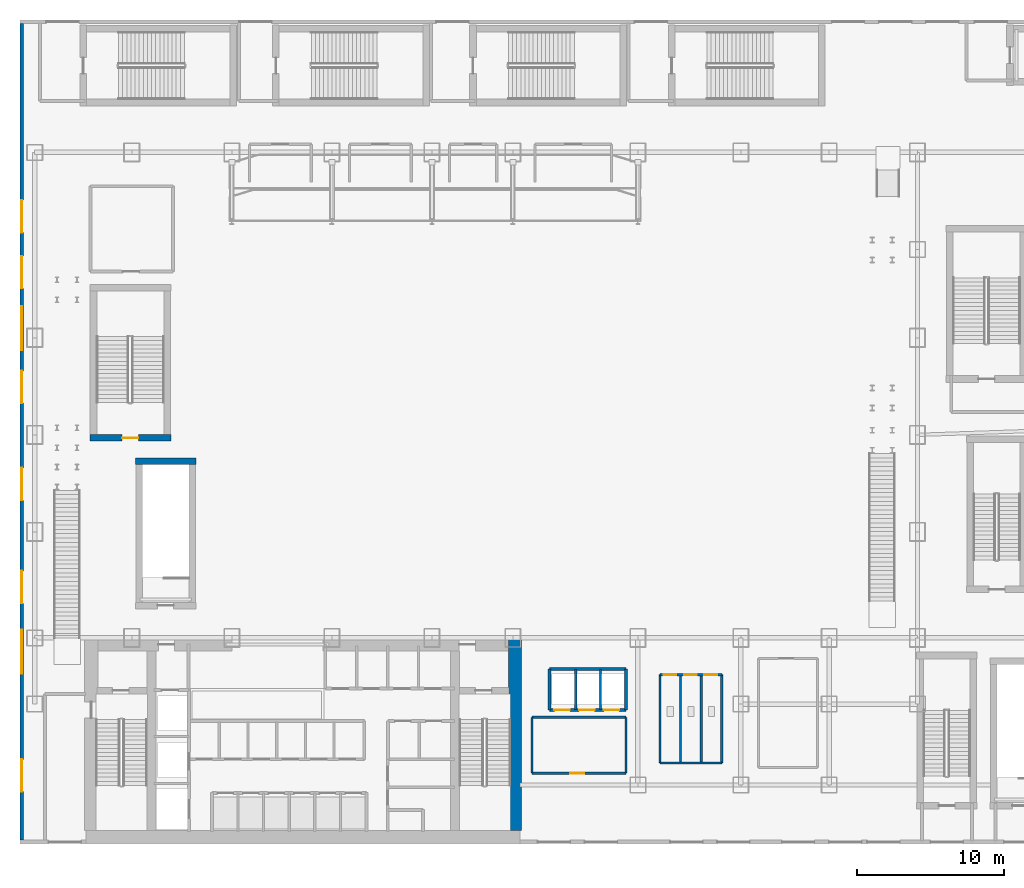
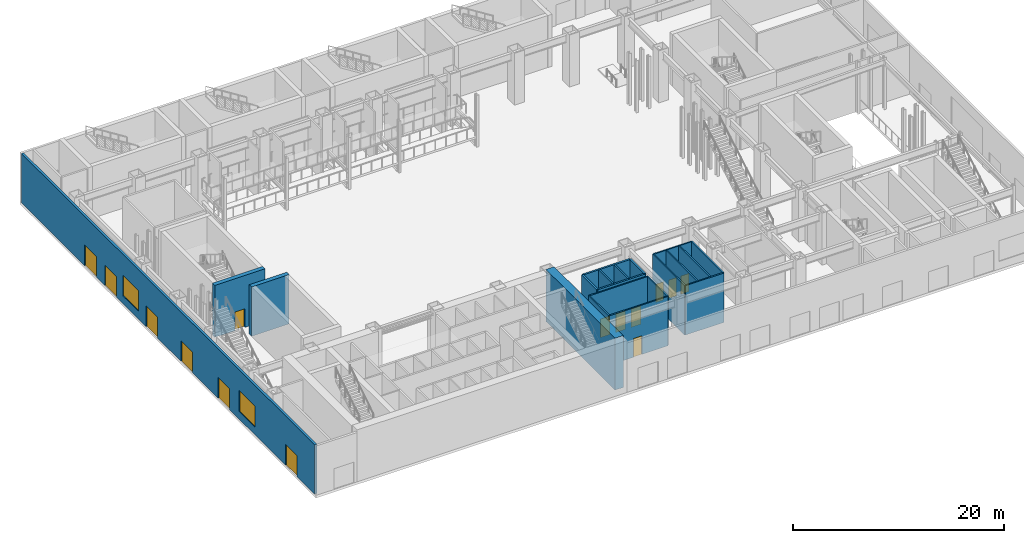
# One storey, part 11 of 25: 20 walls, 14 doors, 2 windows, 16 openings.
"""IFC4 building model written with IfcOpenShell, lengths in metres."""

from ifc_helpers import new_model, si_unit, derived_unit, direction, frame, frame_2d, origin, place, context, subcontext, project, spatial, rectangle, extrude, source, transform, mapped, material, layer, layer_set, type_object, element, fill, save


model = new_model("IFC4")

# Units and contexts
model_context = context("Model", 3, precision=1e-05, world=origin(), true_north=direction((0.0, 1.0)))
body_context = subcontext(model_context, "Body", "Model", "MODEL_VIEW")
ifc_project = project(units=[si_unit("LENGTHUNIT", "METRE"), si_unit("AREAUNIT", "SQUARE_METRE"), si_unit("VOLUMEUNIT", "CUBIC_METRE"), si_unit("PLANEANGLEUNIT", "RADIAN"), si_unit("MASSUNIT", "GRAM", prefix="KILO"), derived_unit("THERMALTRANSMITTANCEUNIT", [(si_unit("POWERUNIT", "WATT"), 1), (si_unit("LENGTHUNIT", "METRE"), -2), (si_unit("THERMODYNAMICTEMPERATUREUNIT", "KELVIN"), -1)])], contexts=[model_context])

# Site, building, storey
site_placement = place(None, origin())
site = spatial("IfcSite", under=ifc_project, at=site_placement, CompositionType="ELEMENT")
building_placement = place(site_placement, origin())
building = spatial("IfcBuilding", under=site, at=building_placement, Name="Skarnbrae Concourse Arena and Tower", CompositionType="ELEMENT")
storey_placement = place(building_placement, origin())
storey = spatial("IfcBuildingStorey", under=building, at=storey_placement, Name="L00", CompositionType="ELEMENT", Elevation=0.0)

# Wall
ifc_material_1 = material(Name="Concrete 70 MPa (C70/85)", Category="concrete")
ifc_layer_1 = layer(ifc_material_1, 0.89990234375)
ifc_layer_set_1 = layer_set([ifc_layer_1], Name="Concrete 70 MPa (C70/85)")
wall_type_1 = type_object("IfcWallType", Name="WALL-CORE-900-C70", PredefinedType="SHEAR", material=ifc_layer_set_1)
shared_shape_1 = source(origin(), body_context, "Body", "SweptSolid", [
    extrude(rectangle(XDim=13.10009765625, YDim=0.89990234375, at=frame_2d((6.550048828125, 0.0))), origin(), (0.0, 0.0, 1.0), 6.0),
])
wall_1_placement = place(storey_placement, frame((33.64990234375, 0.89990234375, 0.0), z_axis=(0.0, 0.0, 1.0), x_axis=(0.0, 1.0, 0.0)))
element("IfcWall", 1, at=wall_1_placement, inside=storey, type_object=wall_type_1, Name="L00 Rear core shear wall CW-E", PredefinedType="SHEAR", context=body_context, shape_type="MappedRepresentation", body=[
    mapped(shared_shape_1, transform((0.0, 0.0, 0.0))),
])

# Wall, openings, doors, windows
ifc_material_2 = material(Name="Precast concrete 40 MPa (C40/50)", Category="concrete")
ifc_layer_2 = layer(ifc_material_2, 0.25)
ifc_layer_set_2 = layer_set([ifc_layer_2], Name="Precast concrete 40 MPa (C40/50)")
wall_type_2 = type_object("IfcWallType", Name="WALL-EXT-SPANDREL-250", PredefinedType="STANDARD", material=ifc_layer_set_2)
shared_shape_2 = source(origin(), body_context, "Body", "SweptSolid", [
    extrude(rectangle(XDim=55.5, YDim=0.25, at=frame_2d((27.75, 0.0))), origin(), (0.0, 0.0, 1.0), 5.699951171875),
])
wall_2_placement = place(storey_placement, frame((0.125, 55.75, 0.0), z_axis=(0.0, 0.0, 1.0), x_axis=(0.0, -1.0, 0.0)))
wall_2 = element("IfcWall", 2, at=wall_2_placement, inside=storey, type_object=wall_type_2, Name="L00 Podium exterior precast wall W", PredefinedType="STANDARD", context=body_context, shape_type="MappedRepresentation", body=[
    mapped(shared_shape_2, transform((0.0, 0.0, 0.0))),
])
opening_1_placement = place(wall_2_placement, frame((12.0, 0.0, 0.0)))
opening_1 = element("IfcOpeningElement", 3, at=opening_1_placement, cuts=wall_2, Name="Opening DT-EX", PredefinedType="OPENING", context=body_context, shape_type="SweptSolid", body=[
    extrude(rectangle(XDim=2.199951171875, YDim=2.39990234375, at=frame_2d((1.10009765625, 1.199951171875))), frame((0.0, 0.135009765625, 0.0), z_axis=(0.0, -1.0, 0.0), x_axis=(1.0, 0.0, 0.0)), (0.0, 0.0, 1.0), 0.27001953125),
])
opening_2_placement = place(wall_2_placement, frame((15.800048828125, 0.0, 0.0)))
opening_2 = element("IfcOpeningElement", 4, at=opening_2_placement, cuts=wall_2, Name="Opening DT-EX", PredefinedType="OPENING", context=body_context, shape_type="SweptSolid", body=[
    extrude(rectangle(XDim=2.199951171875, YDim=2.39990234375, at=frame_2d((1.10009765625, 1.199951171875))), frame((0.0, 0.135009765625, 0.0), z_axis=(0.0, -1.0, 0.0), x_axis=(1.0, 0.0, 0.0)), (0.0, 0.0, 1.0), 0.27001953125),
])
opening_3_placement = place(wall_2_placement, frame((23.60009765625, 0.0, 0.0)))
opening_3 = element("IfcOpeningElement", 5, at=opening_3_placement, cuts=wall_2, Name="Opening DT-EX", PredefinedType="OPENING", context=body_context, shape_type="SweptSolid", body=[
    extrude(rectangle(XDim=2.199951171875, YDim=2.39990234375, at=frame_2d((1.10009765625, 1.199951171875))), frame((0.0, 0.135009765625, 0.0), z_axis=(0.0, -1.0, 0.0), x_axis=(1.0, 0.0, 0.0)), (0.0, 0.0, 1.0), 0.27001953125),
])
opening_4_placement = place(wall_2_placement, frame((30.199951171875, 0.0, 0.0)))
opening_4 = element("IfcOpeningElement", 6, at=opening_4_placement, cuts=wall_2, Name="Opening DT-EX", PredefinedType="OPENING", context=body_context, shape_type="SweptSolid", body=[
    extrude(rectangle(XDim=2.199951171875, YDim=2.39990234375, at=frame_2d((1.10009765625, 1.199951171875))), frame((0.0, 0.135009765625, 0.0), z_axis=(0.0, -1.0, 0.0), x_axis=(1.0, 0.0, 0.0)), (0.0, 0.0, 1.0), 0.27001953125),
])
opening_5_placement = place(wall_2_placement, frame((37.199951171875, 0.0, 0.0)))
opening_5 = element("IfcOpeningElement", 7, at=opening_5_placement, cuts=wall_2, Name="Opening DT-EX", PredefinedType="OPENING", context=body_context, shape_type="SweptSolid", body=[
    extrude(rectangle(XDim=2.199951171875, YDim=2.39990234375, at=frame_2d((1.10009765625, 1.199951171875))), frame((0.0, 0.135009765625, 0.0), z_axis=(0.0, -1.0, 0.0), x_axis=(1.0, 0.0, 0.0)), (0.0, 0.0, 1.0), 0.27001953125),
])
opening_6_placement = place(wall_2_placement, frame((50.0, 0.0, 0.0)))
opening_6 = element("IfcOpeningElement", 8, at=opening_6_placement, cuts=wall_2, Name="Opening DT-EX", PredefinedType="OPENING", context=body_context, shape_type="SweptSolid", body=[
    extrude(rectangle(XDim=2.199951171875, YDim=2.39990234375, at=frame_2d((1.10009765625, 1.199951171875))), frame((0.0, 0.135009765625, 0.0), z_axis=(0.0, -1.0, 0.0), x_axis=(1.0, 0.0, 0.0)), (0.0, 0.0, 1.0), 0.27001953125),
])
opening_7_placement = place(wall_2_placement, frame((19.199951171875, 0.0, 0.89990234375)))
opening_7 = element("IfcOpeningElement", 9, at=opening_7_placement, cuts=wall_2, Name="Opening WN-04", PredefinedType="OPENING", context=body_context, shape_type="SweptSolid", body=[
    extrude(rectangle(XDim=3.0, YDim=2.39990234375, at=frame_2d((1.5, 1.199951171875))), frame((0.0, 0.135009765625, 0.0), z_axis=(0.0, -1.0, 0.0), x_axis=(1.0, 0.0, 0.0)), (0.0, 0.0, 1.0), 0.27001953125),
])
opening_8_placement = place(wall_2_placement, frame((41.199951171875, 0.0, 0.89990234375)))
opening_8 = element("IfcOpeningElement", 10, at=opening_8_placement, cuts=wall_2, Name="Opening WN-04", PredefinedType="OPENING", context=body_context, shape_type="SweptSolid", body=[
    extrude(rectangle(XDim=3.0, YDim=2.39990234375, at=frame_2d((1.5, 1.199951171875))), frame((0.0, 0.135009765625, 0.0), z_axis=(0.0, -1.0, 0.0), x_axis=(1.0, 0.0, 0.0)), (0.0, 0.0, 1.0), 0.27001953125),
])
ifc_material_3 = material(Name="Bronze anodised aluminium 6063-T6", Category="aluminium")
door_type_1 = type_object("IfcDoorType", Name="DOOR-EXIT-2200", OperationType="DOUBLE_DOOR_SINGLE_SWING", PredefinedType="DOOR", material=ifc_material_3)
shared_shape_3 = source(origin(), body_context, "Body", "SweptSolid", [
    extrude(rectangle(XDim=2.199951171875, YDim=2.39990234375, at=frame_2d((1.10009765625, 1.199951171875))), frame((0.0, 0.02490234375, 0.0), z_axis=(0.0, -1.0, 0.0), x_axis=(1.0, 0.0, 0.0)), (0.0, 0.0, 1.0), 0.050048828125),
])
door_1_placement = place(opening_1_placement, frame((2.199951171875, 0.0, 0.0), z_axis=(0.0, 0.0, 1.0), x_axis=(-1.0, 0.0, 0.0)))
door_1 = element("IfcDoor", 11, at=door_1_placement, inside=storey, type_object=door_type_1, Name="D-0022 Final Exit EX-22", OperationType="DOUBLE_DOOR_SINGLE_SWING", OverallHeight=2.39990234375, OverallWidth=2.199951171875, PredefinedType="DOOR", context=body_context, shape_type="MappedRepresentation", body=[
    mapped(shared_shape_3, transform((0.0, 0.0, 0.0))),
])
fill(opening_1, door_1)
door_2_placement = place(opening_2_placement, frame((2.199951171875, 0.0, 0.0), z_axis=(0.0, 0.0, 1.0), x_axis=(-1.0, 0.0, 0.0)))
door_2 = element("IfcDoor", 12, at=door_2_placement, inside=storey, type_object=door_type_1, Name="D-0023 Final Exit EX-23", OperationType="DOUBLE_DOOR_SINGLE_SWING", OverallHeight=2.39990234375, OverallWidth=2.199951171875, PredefinedType="DOOR", context=body_context, shape_type="MappedRepresentation", body=[
    mapped(shared_shape_3, transform((0.0, 0.0, 0.0))),
])
fill(opening_2, door_2)
door_3_placement = place(opening_3_placement, frame((2.199951171875, 0.0, 0.0), z_axis=(0.0, 0.0, 1.0), x_axis=(-1.0, 0.0, 0.0)))
door_3 = element("IfcDoor", 13, at=door_3_placement, inside=storey, type_object=door_type_1, Name="D-0024 Final Exit EX-24", OperationType="DOUBLE_DOOR_SINGLE_SWING", OverallHeight=2.39990234375, OverallWidth=2.199951171875, PredefinedType="DOOR", context=body_context, shape_type="MappedRepresentation", body=[
    mapped(shared_shape_3, transform((0.0, 0.0, 0.0))),
])
fill(opening_3, door_3)
door_4_placement = place(opening_4_placement, frame((2.199951171875, 0.0, 0.0), z_axis=(0.0, 0.0, 1.0), x_axis=(-1.0, 0.0, 0.0)))
door_4 = element("IfcDoor", 14, at=door_4_placement, inside=storey, type_object=door_type_1, Name="D-0025 Final Exit EX-25", OperationType="DOUBLE_DOOR_SINGLE_SWING", OverallHeight=2.39990234375, OverallWidth=2.199951171875, PredefinedType="DOOR", context=body_context, shape_type="MappedRepresentation", body=[
    mapped(shared_shape_3, transform((0.0, 0.0, 0.0))),
])
fill(opening_4, door_4)
door_5_placement = place(opening_5_placement, frame((2.199951171875, 0.0, 0.0), z_axis=(0.0, 0.0, 1.0), x_axis=(-1.0, 0.0, 0.0)))
door_5 = element("IfcDoor", 15, at=door_5_placement, inside=storey, type_object=door_type_1, Name="D-0026 Final Exit EX-26", OperationType="DOUBLE_DOOR_SINGLE_SWING", OverallHeight=2.39990234375, OverallWidth=2.199951171875, PredefinedType="DOOR", context=body_context, shape_type="MappedRepresentation", body=[
    mapped(shared_shape_3, transform((0.0, 0.0, 0.0))),
])
fill(opening_5, door_5)
door_6_placement = place(opening_6_placement, frame((2.199951171875, 0.0, 0.0), z_axis=(0.0, 0.0, 1.0), x_axis=(-1.0, 0.0, 0.0)))
door_6 = element("IfcDoor", 16, at=door_6_placement, inside=storey, type_object=door_type_1, Name="D-0027 Final Exit EX-27", OperationType="DOUBLE_DOOR_SINGLE_SWING", OverallHeight=2.39990234375, OverallWidth=2.199951171875, PredefinedType="DOOR", context=body_context, shape_type="MappedRepresentation", body=[
    mapped(shared_shape_3, transform((0.0, 0.0, 0.0))),
])
fill(opening_6, door_6)
ifc_material_4 = material(Name="Low-E triple insulating glass", Category="glass")
window_type = type_object("IfcWindowType", Name="WIN-EXT-3000X2400", PartitioningType="SINGLE_PANEL", PredefinedType="WINDOW", material=ifc_material_4)
shared_shape_4 = source(origin(), body_context, "Body", "SweptSolid", [
    extrude(rectangle(XDim=3.0, YDim=2.39990234375, at=frame_2d((1.5, 1.199951171875))), frame((0.0, 0.030029296875, 0.0), z_axis=(0.0, -1.0, 0.0), x_axis=(1.0, 0.0, 0.0)), (0.0, 0.0, 1.0), 0.06005859375),
])
window_1_placement = place(opening_7_placement, origin())
window_1 = element("IfcWindow", 17, at=window_1_placement, inside=storey, type_object=window_type, Name="L00 Concourse clerestory window N03", OverallHeight=2.39990234375, OverallWidth=3.0, PartitioningType="SINGLE_PANEL", PredefinedType="WINDOW", context=body_context, shape_type="MappedRepresentation", body=[
    mapped(shared_shape_4, transform((0.0, 0.0, 0.0))),
])
fill(opening_7, window_1)
window_2_placement = place(opening_8_placement, origin())
window_2 = element("IfcWindow", 18, at=window_2_placement, inside=storey, type_object=window_type, Name="L00 Concourse clerestory window N04", OverallHeight=2.39990234375, OverallWidth=3.0, PartitioningType="SINGLE_PANEL", PredefinedType="WINDOW", context=body_context, shape_type="MappedRepresentation", body=[
    mapped(shared_shape_4, transform((0.0, 0.0, 0.0))),
])
fill(opening_8, window_2)

# Wall, opening, door
ifc_material_5 = material(Name="Concrete 50 MPa (C50/60)", Category="concrete")
ifc_layer_3 = layer(ifc_material_5, 0.449951171875)
ifc_layer_set_3 = layer_set([ifc_layer_3], Name="Concrete 50 MPa (C50/60)")
wall_type_3 = type_object("IfcWallType", Name="WALL-CORE-450-C50", PredefinedType="SHEAR", material=ifc_layer_set_3)
shared_shape_5 = source(origin(), body_context, "Body", "SweptSolid", [
    extrude(rectangle(XDim=5.5, YDim=0.449951171875, at=frame_2d((2.75, 0.0))), origin(), (0.0, 0.0, 1.0), 6.0),
])
wall_3_placement = place(storey_placement, frame((4.75, 27.594970703125, 0.0), z_axis=(0.0, 0.0, 1.0), x_axis=(1.0, 0.0, 0.0)))
wall_3 = element("IfcWall", 19, at=wall_3_placement, inside=storey, type_object=wall_type_3, Name="L00 Protected stair shaft wall ST-A3-S", PredefinedType="SHEAR", context=body_context, shape_type="MappedRepresentation", body=[
    mapped(shared_shape_5, transform((0.0, 0.0, 0.0))),
])
opening_9_placement = place(wall_3_placement, frame((2.199951171875, 0.0, 0.0)))
opening_9 = element("IfcOpeningElement", 20, at=opening_9_placement, cuts=wall_3, Name="Opening DT-03", PredefinedType="OPENING", context=body_context, shape_type="SweptSolid", body=[
    extrude(rectangle(XDim=1.10009765625, YDim=2.14990234375, at=frame_2d((0.550048828125, 1.074951171875))), frame((0.0, 0.23486328125, 0.0), z_axis=(0.0, -1.0, 0.0), x_axis=(1.0, 0.0, 0.0)), (0.0, 0.0, 1.0), 0.469970703125),
])
ifc_material_6 = material(Name="Steel CSA G40.21 350W", Category="steel")
door_type_2 = type_object("IfcDoorType", Name="DOOR-FIRE-1100-90M", OperationType="NOTDEFINED", PredefinedType="DOOR", material=ifc_material_6)
shared_shape_6 = source(origin(), body_context, "Body", "SweptSolid", [
    extrude(rectangle(XDim=1.10009765625, YDim=2.14990234375, at=frame_2d((0.550048828125, 1.074951171875))), frame((0.0, 0.02490234375, 0.0), z_axis=(0.0, -1.0, 0.0), x_axis=(1.0, 0.0, 0.0)), (0.0, 0.0, 1.0), 0.050048828125),
])
door_7_placement = place(opening_9_placement, frame((1.10009765625, 0.0, 0.0), z_axis=(0.0, 0.0, 1.0), x_axis=(-1.0, 0.0, 0.0)))
door_7 = element("IfcDoor", 21, at=door_7_placement, inside=storey, type_object=door_type_2, Name="D-0189 Exit Stair ST-A3 Door", OperationType="SINGLE_SWING_LEFT", OverallHeight=2.14990234375, OverallWidth=1.10009765625, PredefinedType="DOOR", context=body_context, shape_type="MappedRepresentation", body=[
    mapped(shared_shape_6, transform((0.0, 0.0, 0.0))),
])
fill(opening_9, door_7)

# Wall
shared_shape_7 = source(origin(), body_context, "Body", "SweptSolid", [
    extrude(rectangle(XDim=4.099853515625, YDim=0.449951171875, at=frame_2d((2.0498046875, 0.0))), origin(), (0.0, 0.0, 1.0), 5.699951171875),
])
wall_4_placement = place(storey_placement, frame((7.85009765625, 26.0048828125, 0.0), z_axis=(0.0, 0.0, 1.0), x_axis=(1.0, 0.0, 0.0)))
element("IfcWall", 22, at=wall_4_placement, inside=storey, type_object=wall_type_3, Name="L00 Protected stair shaft wall ST-B3-N", PredefinedType="SHEAR", context=body_context, shape_type="MappedRepresentation", body=[
    mapped(shared_shape_7, transform((0.0, 0.0, 0.0))),
])

# Wall, openings, doors
ifc_material_7 = material(Name="Gypsum board on cold-formed steel studs", Category="steel")
ifc_layer_4 = layer(ifc_material_7, 0.199951171875)
ifc_layer_set_4 = layer_set([ifc_layer_4], Name="Gypsum board on cold-formed steel studs")
wall_type_4 = type_object("IfcWallType", Name="WALL-PART-200-2HR", PredefinedType="PARTITIONING", material=ifc_layer_set_4)
shared_shape_8 = source(origin(), body_context, "Body", "SweptSolid", [
    extrude(rectangle(XDim=5.199951171875, YDim=0.199951171875, at=frame_2d((2.60009765625, 0.0))), origin(), (0.0, 0.0, 1.0), 5.699951171875),
])
wall_5_placement = place(storey_placement, frame((36.0, 9.10009765625, 0.0), z_axis=(0.0, 0.0, 1.0), x_axis=(1.0, 0.0, 0.0)))
wall_5 = element("IfcWall", 23, at=wall_5_placement, inside=storey, type_object=wall_type_4, Name="L00 Interior partition wall W-L00-PLP-S", PredefinedType="PARTITIONING", context=body_context, shape_type="MappedRepresentation", body=[
    mapped(shared_shape_8, transform((0.0, 0.0, 0.0))),
])
opening_10_placement = place(wall_5_placement, frame((0.320068359375, 0.0, 0.0)))
opening_10 = element("IfcOpeningElement", 24, at=opening_10_placement, cuts=wall_5, Name="Opening LD-03", PredefinedType="OPENING", context=body_context, shape_type="SweptSolid", body=[
    extrude(rectangle(XDim=1.050048828125, YDim=2.14990234375, at=frame_2d((0.52490234375, 1.074951171875))), frame((0.0, 0.10986328125, 0.0), z_axis=(0.0, -1.0, 0.0), x_axis=(1.0, 0.0, 0.0)), (0.0, 0.0, 1.0), 0.219970703125),
])
opening_11_placement = place(wall_5_placement, frame((2.0, 0.0, 0.0)))
opening_11 = element("IfcOpeningElement", 25, at=opening_11_placement, cuts=wall_5, Name="Opening LD-03", PredefinedType="OPENING", context=body_context, shape_type="SweptSolid", body=[
    extrude(rectangle(XDim=1.050048828125, YDim=2.14990234375, at=frame_2d((0.52490234375, 1.074951171875))), frame((0.0, 0.10986328125, 0.0), z_axis=(0.0, -1.0, 0.0), x_axis=(1.0, 0.0, 0.0)), (0.0, 0.0, 1.0), 0.219970703125),
])
opening_12_placement = place(wall_5_placement, frame((3.679931640625, 0.0, 0.0)))
opening_12 = element("IfcOpeningElement", 26, at=opening_12_placement, cuts=wall_5, Name="Opening LD-03", PredefinedType="OPENING", context=body_context, shape_type="SweptSolid", body=[
    extrude(rectangle(XDim=1.050048828125, YDim=2.14990234375, at=frame_2d((0.52490234375, 1.074951171875))), frame((0.0, 0.10986328125, 0.0), z_axis=(0.0, -1.0, 0.0), x_axis=(1.0, 0.0, 0.0)), (0.0, 0.0, 1.0), 0.219970703125),
])
door_type_3 = type_object("IfcDoorType", Name="DOOR-LIFT-SLIDE-1050", OperationType="SLIDING_TO_LEFT", PredefinedType="DOOR", material=ifc_material_3)
shared_shape_9 = source(origin(), body_context, "Body", "SweptSolid", [
    extrude(rectangle(XDim=1.050048828125, YDim=2.14990234375, at=frame_2d((0.52490234375, 1.074951171875))), frame((0.0, 0.02490234375, 0.0), z_axis=(0.0, -1.0, 0.0), x_axis=(1.0, 0.0, 0.0)), (0.0, 0.0, 1.0), 0.050048828125),
])
door_8_placement = place(opening_10_placement, frame((1.050048828125, 0.0, 0.0), z_axis=(0.0, 0.0, 1.0), x_axis=(-1.0, 0.0, 0.0)))
door_8 = element("IfcDoor", 27, at=door_8_placement, inside=storey, type_object=door_type_3, Name="D-0173 Transit Lift Landing Door PL-P1", OperationType="SLIDING_TO_LEFT", OverallHeight=2.14990234375, OverallWidth=1.050048828125, PredefinedType="DOOR", context=body_context, shape_type="MappedRepresentation", body=[
    mapped(shared_shape_9, transform((0.0, 0.0, 0.0))),
])
fill(opening_10, door_8)
door_9_placement = place(opening_11_placement, frame((1.050048828125, 0.0, 0.0), z_axis=(0.0, 0.0, 1.0), x_axis=(-1.0, 0.0, 0.0)))
door_9 = element("IfcDoor", 28, at=door_9_placement, inside=storey, type_object=door_type_3, Name="D-0174 Transit Lift Landing Door PL-P2", OperationType="SLIDING_TO_LEFT", OverallHeight=2.14990234375, OverallWidth=1.050048828125, PredefinedType="DOOR", context=body_context, shape_type="MappedRepresentation", body=[
    mapped(shared_shape_9, transform((0.0, 0.0, 0.0))),
])
fill(opening_11, door_9)
door_10_placement = place(opening_12_placement, frame((1.050048828125, 0.0, 0.0), z_axis=(0.0, 0.0, 1.0), x_axis=(-1.0, 0.0, 0.0)))
door_10 = element("IfcDoor", 29, at=door_10_placement, inside=storey, type_object=door_type_3, Name="D-0175 Transit Lift Landing Door PL-P3", OperationType="SLIDING_TO_LEFT", OverallHeight=2.14990234375, OverallWidth=1.050048828125, PredefinedType="DOOR", context=body_context, shape_type="MappedRepresentation", body=[
    mapped(shared_shape_9, transform((0.0, 0.0, 0.0))),
])
fill(opening_12, door_10)

# Walls
wall_6_placement = place(storey_placement, frame((36.0, 11.89990234375, 0.0), z_axis=(0.0, 0.0, 1.0), x_axis=(1.0, 0.0, 0.0)))
element("IfcWall", 30, at=wall_6_placement, inside=storey, type_object=wall_type_4, Name="L00 Interior partition wall W-L00-PLP-N", PredefinedType="PARTITIONING", context=body_context, shape_type="MappedRepresentation", body=[
    mapped(shared_shape_8, transform((0.0, 0.0, 0.0))),
])
shared_shape_10 = source(origin(), body_context, "Body", "SweptSolid", [
    extrude(rectangle(XDim=2.7998046875, YDim=0.199951171875, at=frame_2d((1.39990234375, 0.0))), origin(), (0.0, 0.0, 1.0), 5.699951171875),
])
for number, where, z_axis, x_axis, name in (
    (31, (36.0, 9.10009765625, 0.0), (0.0, 0.0, 1.0), (0.0, 1.0, 0.0), "L00 Interior partition wall W-L00-PLP-W"),
    (32, (41.199951171875, 9.10009765625, 0.0), (0.0, 0.0, 1.0), (0.0, 1.0, 0.0), "L00 Interior partition wall W-L00-PLP-E"),
):
    element("IfcWall", number, at=place(storey_placement, frame(where, z_axis=z_axis, x_axis=x_axis)), inside=storey, type_object=wall_type_4, Name=name, PredefinedType="PARTITIONING", context=body_context, shape_type="MappedRepresentation", body=[
        mapped(shared_shape_10, transform((0.0, 0.0, 0.0))),
    ])
ifc_layer_5 = layer(ifc_material_7, 0.14990234375)
ifc_layer_set_5 = layer_set([ifc_layer_5], Name="Gypsum board on cold-formed steel studs")
wall_type_5 = type_object("IfcWallType", Name="WALL-PART-150", PredefinedType="PARTITIONING", material=ifc_layer_set_5)
shared_shape_11 = source(origin(), body_context, "Body", "SweptSolid", [
    extrude(rectangle(XDim=2.7001953125, YDim=0.14990234375, at=frame_2d((1.35009765625, 0.0))), origin(), (0.0, 0.0, 1.0), 5.699951171875),
])
for number, where, z_axis, x_axis, name in (
    (33, (37.780029296875, 9.14990234375, 0.0), (0.0, 0.0, 1.0), (0.0, 1.0, 0.0), "L00 Interior partition wall W-L00-PLP-D1"),
    (34, (39.4599609375, 9.14990234375, 0.0), (0.0, 0.0, 1.0), (0.0, 1.0, 0.0), "L00 Interior partition wall W-L00-PLP-D2"),
):
    element("IfcWall", number, at=place(storey_placement, frame(where, z_axis=z_axis, x_axis=x_axis)), inside=storey, type_object=wall_type_5, Name=name, PredefinedType="PARTITIONING", context=body_context, shape_type="MappedRepresentation", body=[
        mapped(shared_shape_11, transform((0.0, 0.0, 0.0))),
    ])

# Wall, openings, doors
shared_shape_12 = source(origin(), body_context, "Body", "SweptSolid", [
    extrude(rectangle(XDim=4.199951171875, YDim=0.14990234375, at=frame_2d((2.10009765625, 0.0))), origin(), (0.0, 0.0, 1.0), 5.699951171875),
])
wall_7_placement = place(storey_placement, frame((43.5, 11.5, 0.0), z_axis=(0.0, 0.0, 1.0), x_axis=(1.0, 0.0, 0.0)))
wall_7 = element("IfcWall", 35, at=wall_7_placement, inside=storey, type_object=wall_type_5, Name="L00 Interior partition wall W-L00-PWC-N", PredefinedType="PARTITIONING", context=body_context, shape_type="MappedRepresentation", body=[
    mapped(shared_shape_12, transform((0.0, 0.0, 0.0))),
])
opening_13_placement = place(wall_7_placement, frame((0.25, 0.0, 0.0)))
opening_13 = element("IfcOpeningElement", 36, at=opening_13_placement, cuts=wall_7, Name="Opening DT-06", PredefinedType="OPENING", context=body_context, shape_type="SweptSolid", body=[
    extrude(rectangle(XDim=0.85009765625, YDim=2.10009765625, at=frame_2d((0.425048828125, 1.050048828125))), frame((0.0, 0.0849609375, 0.0), z_axis=(0.0, -1.0, 0.0), x_axis=(1.0, 0.0, 0.0)), (0.0, 0.0, 1.0), 0.169921875),
])
opening_14_placement = place(wall_7_placement, frame((1.64990234375, 0.0, 0.0)))
opening_14 = element("IfcOpeningElement", 37, at=opening_14_placement, cuts=wall_7, Name="Opening DT-06", PredefinedType="OPENING", context=body_context, shape_type="SweptSolid", body=[
    extrude(rectangle(XDim=0.85009765625, YDim=2.10009765625, at=frame_2d((0.425048828125, 1.050048828125))), frame((0.0, 0.0849609375, 0.0), z_axis=(0.0, -1.0, 0.0), x_axis=(1.0, 0.0, 0.0)), (0.0, 0.0, 1.0), 0.169921875),
])
opening_15_placement = place(wall_7_placement, frame((3.0, 0.0, 0.0)))
opening_15 = element("IfcOpeningElement", 38, at=opening_15_placement, cuts=wall_7, Name="Opening DT-05", PredefinedType="OPENING", context=body_context, shape_type="SweptSolid", body=[
    extrude(rectangle(XDim=0.89990234375, YDim=2.10009765625, at=frame_2d((0.449951171875, 1.050048828125))), frame((0.0, 0.0849609375, 0.0), z_axis=(0.0, -1.0, 0.0), x_axis=(1.0, 0.0, 0.0)), (0.0, 0.0, 1.0), 0.169921875),
])
ifc_material_8 = material(Name="Architectural oak veneer timber leaf", Category="wood")
door_type_4 = type_object("IfcDoorType", Name="DOOR-INT-850", OperationType="NOTDEFINED", PredefinedType="DOOR", material=ifc_material_8)
shared_shape_13 = source(origin(), body_context, "Body", "SweptSolid", [
    extrude(rectangle(XDim=0.85009765625, YDim=2.10009765625, at=frame_2d((0.425048828125, 1.050048828125))), frame((0.0, 0.02490234375, 0.0), z_axis=(0.0, -1.0, 0.0), x_axis=(1.0, 0.0, 0.0)), (0.0, 0.0, 1.0), 0.050048828125),
])
door_11_placement = place(opening_13_placement, frame((0.85009765625, 0.0, 0.0), z_axis=(0.0, 0.0, 1.0), x_axis=(-1.0, 0.0, 0.0)))
door_11 = element("IfcDoor", 39, at=door_11_placement, inside=storey, type_object=door_type_4, Name="D-0176 Public Male WC Door", OperationType="SINGLE_SWING_LEFT", OverallHeight=2.10009765625, OverallWidth=0.85009765625, PredefinedType="DOOR", context=body_context, shape_type="MappedRepresentation", body=[
    mapped(shared_shape_13, transform((0.0, 0.0, 0.0))),
])
fill(opening_13, door_11)
door_12_placement = place(opening_14_placement, frame((0.85009765625, 0.0, 0.0), z_axis=(0.0, 0.0, 1.0), x_axis=(-1.0, 0.0, 0.0)))
door_12 = element("IfcDoor", 40, at=door_12_placement, inside=storey, type_object=door_type_4, Name="D-0177 Public Female WC Door", OperationType="SINGLE_SWING_RIGHT", OverallHeight=2.10009765625, OverallWidth=0.85009765625, PredefinedType="DOOR", context=body_context, shape_type="MappedRepresentation", body=[
    mapped(shared_shape_13, transform((0.0, 0.0, 0.0))),
])
fill(opening_14, door_12)
door_type_5 = type_object("IfcDoorType", Name="DOOR-INT-900", OperationType="NOTDEFINED", PredefinedType="DOOR", material=ifc_material_8)
shared_shape_14 = source(origin(), body_context, "Body", "SweptSolid", [
    extrude(rectangle(XDim=0.89990234375, YDim=2.10009765625, at=frame_2d((0.449951171875, 1.050048828125))), frame((0.0, 0.02490234375, 0.0), z_axis=(0.0, -1.0, 0.0), x_axis=(1.0, 0.0, 0.0)), (0.0, 0.0, 1.0), 0.050048828125),
])
door_13_placement = place(opening_15_placement, frame((0.89990234375, 0.0, 0.0), z_axis=(0.0, 0.0, 1.0), x_axis=(-1.0, 0.0, 0.0)))
door_13 = element("IfcDoor", 41, at=door_13_placement, inside=storey, type_object=door_type_5, Name="D-0178 Public Accessible WC Door", OperationType="SINGLE_SWING_LEFT", OverallHeight=2.10009765625, OverallWidth=0.89990234375, PredefinedType="DOOR", context=body_context, shape_type="MappedRepresentation", body=[
    mapped(shared_shape_14, transform((0.0, 0.0, 0.0))),
])
fill(opening_15, door_13)

# Walls
wall_8_placement = place(storey_placement, frame((43.5, 5.5, 0.0), z_axis=(0.0, 0.0, 1.0), x_axis=(1.0, 0.0, 0.0)))
element("IfcWall", 42, at=wall_8_placement, inside=storey, type_object=wall_type_5, Name="L00 Interior partition wall W-L00-PWC-S", PredefinedType="PARTITIONING", context=body_context, shape_type="MappedRepresentation", body=[
    mapped(shared_shape_12, transform((0.0, 0.0, 0.0))),
])
shared_shape_15 = source(origin(), body_context, "Body", "SweptSolid", [
    extrude(rectangle(XDim=6.0, YDim=0.14990234375, at=frame_2d((3.0, 0.0))), origin(), (0.0, 0.0, 1.0), 5.699951171875),
])
for number, where, z_axis, x_axis, name in (
    (43, (43.5, 5.5, 0.0), (0.0, 0.0, 1.0), (0.0, 1.0, 0.0), "L00 Interior partition wall W-L00-PWC-W"),
    (44, (47.699951171875, 5.5, 0.0), (0.0, 0.0, 1.0), (0.0, 1.0, 0.0), "L00 Interior partition wall W-L00-PWC-E"),
    (45, (44.89990234375, 5.5, 0.0), (0.0, 0.0, 1.0), (0.0, 1.0, 0.0), "L00 Interior partition wall W-L00-PWC-D1"),
    (46, (46.300048828125, 5.5, 0.0), (0.0, 0.0, 1.0), (0.0, 1.0, 0.0), "L00 Interior partition wall W-L00-PWC-D2"),
):
    element("IfcWall", number, at=place(storey_placement, frame(where, z_axis=z_axis, x_axis=x_axis)), inside=storey, type_object=wall_type_5, Name=name, PredefinedType="PARTITIONING", context=body_context, shape_type="MappedRepresentation", body=[
        mapped(shared_shape_15, transform((0.0, 0.0, 0.0))),
    ])

# Wall, opening, door
ifc_layer_6 = layer(ifc_material_7, 0.14990234375)
ifc_layer_set_6 = layer_set([ifc_layer_6], Name="Gypsum board on cold-formed steel studs")
wall_type_6 = type_object("IfcWallType", Name="WALL-PART-150-1HR", PredefinedType="PARTITIONING", material=ifc_layer_set_6)
shared_shape_16 = source(origin(), body_context, "Body", "SweptSolid", [
    extrude(rectangle(XDim=6.39990234375, YDim=0.14990234375, at=frame_2d((3.199951171875, 0.0))), origin(), (0.0, 0.0, 1.0), 5.699951171875),
])
wall_9_placement = place(storey_placement, frame((34.800048828125, 4.800048828125, 0.0), z_axis=(0.0, 0.0, 1.0), x_axis=(1.0, 0.0, 0.0)))
wall_9 = element("IfcWall", 47, at=wall_9_placement, inside=storey, type_object=wall_type_6, Name="L00 Interior partition wall W-L00-BIKE-S", PredefinedType="PARTITIONING", context=body_context, shape_type="MappedRepresentation", body=[
    mapped(shared_shape_16, transform((0.0, 0.0, 0.0))),
])
opening_16_placement = place(wall_9_placement, frame((2.60009765625, 0.0, 0.0)))
opening_16 = element("IfcOpeningElement", 48, at=opening_16_placement, cuts=wall_9, Name="Opening DT-04", PredefinedType="OPENING", context=body_context, shape_type="SweptSolid", body=[
    extrude(rectangle(XDim=0.949951171875, YDim=2.14990234375, at=frame_2d((0.47509765625, 1.074951171875))), frame((0.0, 0.0849609375, 0.0), z_axis=(0.0, -1.0, 0.0), x_axis=(1.0, 0.0, 0.0)), (0.0, 0.0, 1.0), 0.169921875),
])
door_type_6 = type_object("IfcDoorType", Name="DOOR-INT-950-45M", OperationType="NOTDEFINED", PredefinedType="DOOR", material=ifc_material_6)
shared_shape_17 = source(origin(), body_context, "Body", "SweptSolid", [
    extrude(rectangle(XDim=0.949951171875, YDim=2.14990234375, at=frame_2d((0.47509765625, 1.074951171875))), frame((0.0, 0.02490234375, 0.0), z_axis=(0.0, -1.0, 0.0), x_axis=(1.0, 0.0, 0.0)), (0.0, 0.0, 1.0), 0.050048828125),
])
door_14_placement = place(opening_16_placement, frame((0.949951171875, 0.0, 0.0), z_axis=(0.0, 0.0, 1.0), x_axis=(-1.0, 0.0, 0.0)))
door_14 = element("IfcDoor", 49, at=door_14_placement, inside=storey, type_object=door_type_6, Name="D-0181 Bicycle Storage Room Door", OperationType="SINGLE_SWING_LEFT", OverallHeight=2.14990234375, OverallWidth=0.949951171875, PredefinedType="DOOR", context=body_context, shape_type="MappedRepresentation", body=[
    mapped(shared_shape_17, transform((0.0, 0.0, 0.0))),
])
fill(opening_16, door_14)

# Walls
wall_10_placement = place(storey_placement, frame((34.800048828125, 8.60009765625, 0.0), z_axis=(0.0, 0.0, 1.0), x_axis=(1.0, 0.0, 0.0)))
element("IfcWall", 50, at=wall_10_placement, inside=storey, type_object=wall_type_6, Name="L00 Interior partition wall W-L00-BIKE-N", PredefinedType="PARTITIONING", context=body_context, shape_type="MappedRepresentation", body=[
    mapped(shared_shape_16, transform((0.0, 0.0, 0.0))),
])
shared_shape_18 = source(origin(), body_context, "Body", "SweptSolid", [
    extrude(rectangle(XDim=3.800048828125, YDim=0.14990234375, at=frame_2d((1.89990234375, 0.0))), origin(), (0.0, 0.0, 1.0), 5.699951171875),
])
for number, where, z_axis, x_axis, name in (
    (51, (34.800048828125, 4.800048828125, 0.0), (0.0, 0.0, 1.0), (0.0, 1.0, 0.0), "L00 Interior partition wall W-L00-BIKE-W"),
    (52, (41.199951171875, 4.800048828125, 0.0), (0.0, 0.0, 1.0), (0.0, 1.0, 0.0), "L00 Interior partition wall W-L00-BIKE-E"),
):
    element("IfcWall", number, at=place(storey_placement, frame(where, z_axis=z_axis, x_axis=x_axis)), inside=storey, type_object=wall_type_6, Name=name, PredefinedType="PARTITIONING", context=body_context, shape_type="MappedRepresentation", body=[
        mapped(shared_shape_18, transform((0.0, 0.0, 0.0))),
    ])

save(model, "model.ifc")
